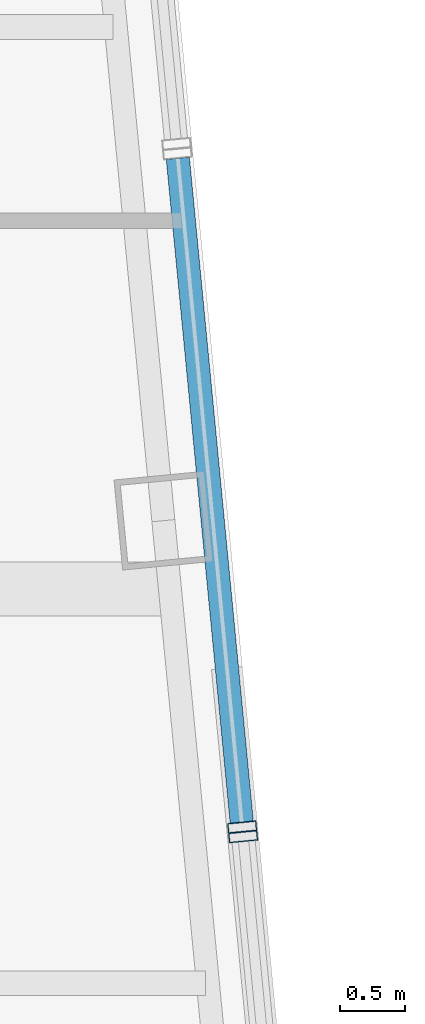
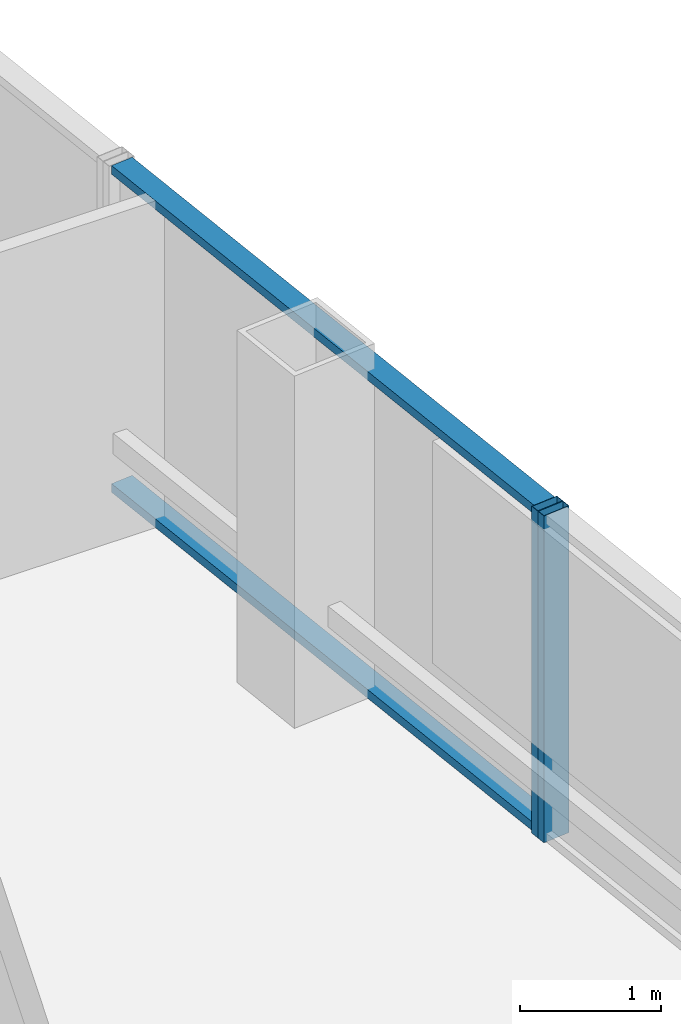
# One storey, part 16 of 29: 4 members, 2 elements without a shape of their own.
"""IFC4 building model written with IfcOpenShell, lengths in metres."""

from ifc_helpers import new_model, si_unit, direction, frame, origin, origin_2d, place, context, subcontext, project, spatial, hollow_rectangle, extrude, material, layer, layer_set, material_profile, profile_set, type_object, element, aggregate, save


model = new_model("IFC4")

# Units and contexts
model_context = context("Model", 3, precision=1e-05, world=origin(), true_north=direction((0.0, 1.0)))
body_context = subcontext(model_context, "Body", "Model", "MODEL_VIEW")
ifc_project = project(units=[si_unit("LENGTHUNIT", "METRE"), si_unit("AREAUNIT", "SQUARE_METRE"), si_unit("VOLUMEUNIT", "CUBIC_METRE"), si_unit("PLANEANGLEUNIT", "RADIAN"), si_unit("MASSUNIT", "GRAM", prefix="KILO")], contexts=[model_context])

# Site, building, storey
site_placement = place(None, origin())
site = spatial("IfcSite", under=ifc_project, at=site_placement, CompositionType="ELEMENT")
building_placement = place(site_placement, origin())
building = spatial("IfcBuilding", under=site, at=building_placement, Name="Qhalaya Broadcast Tower", CompositionType="ELEMENT")
storey_placement = place(building_placement, frame((0.0, 0.0, 177.5)))
storey = spatial("IfcBuildingStorey", under=building, at=storey_placement, Name="L52", CompositionType="ELEMENT", Elevation=177.5)

# Curtain wall, member
ifc_material_1 = material(Name="Fired Architectural Terracotta", Category="masonry")
ifc_layer_1 = layer(ifc_material_1, 0.219970703125, Name="Fired Architectural Terracotta")
ifc_layer_set_1 = layer_set([ifc_layer_1], Name="Fired Architectural Terracotta")
curtain_wall_type_1 = type_object("IfcCurtainWallType", Name="Block-Cap Unitised Terracotta Spandrel Wall CW-07", PredefinedType="NOTDEFINED", material=ifc_layer_set_1)
curtain_wall_1_placement = place(storey_placement, origin())
curtain_wall_1 = element("IfcCurtainWall", 1, at=curtain_wall_1_placement, inside=storey, type_object=curtain_wall_type_1, Name="L52 Unitised Curtain Wall L52-CW-E4", PredefinedType="NOTDEFINED")
ifc_material_2 = material(Name="Anodised Aluminium 6063-T6", Category="aluminium")
ifc_material_profile_1 = material_profile(ifc_material_2, hollow_rectangle(XDim=0.074951171875, YDim=0.219970703125, WallThickness=0.00390625, at=origin_2d()), Name="ALU-MUL 75x220x4")
ifc_profile_set_1 = profile_set([ifc_material_profile_1], Name="Anodised Aluminium 6063-T6")
member_type_1 = type_object("IfcMemberType", Name="Unitised Curtain-Wall Mullion M01", PredefinedType="MULLION", material=ifc_profile_set_1)
member_1_placement = place(storey_placement, frame((17.154541015625, 8.03466796875, 0.0), z_axis=(0.0, 0.0, 1.0), x_axis=(-0.095846949325, 0.995396083127, 0.0)))
member_1 = element("IfcMember", 2, at=member_1_placement, type_object=member_type_1, Name="CW-07 mullion 2", PredefinedType="MULLION", context=body_context, shape_type="SweptSolid", body=[
    extrude(hollow_rectangle(XDim=0.074951171875, YDim=0.219970703125, WallThickness=0.00390625, at=origin_2d()), origin(), (0.0, 0.0, 1.0), 2.830078125),
])
aggregate(curtain_wall_1, [member_1])

# Curtain wall, members
ifc_material_3 = material(Name="Solar-Control Low-E Triple Glazing", Category="glass")
ifc_layer_2 = layer(ifc_material_3, 0.219970703125, Name="Solar-Control Low-E Triple Glazing")
ifc_layer_set_2 = layer_set([ifc_layer_2], Name="Solar-Control Low-E Triple Glazing")
curtain_wall_type_2 = type_object("IfcCurtainWallType", Name="Even-Block 4-Storey Double-Module Curtain Wall CW-03", PredefinedType="NOTDEFINED", material=ifc_layer_set_2)
curtain_wall_2_placement = place(storey_placement, origin())
curtain_wall_2 = element("IfcCurtainWall", 3, at=curtain_wall_2_placement, inside=storey, type_object=curtain_wall_type_2, Name="L52 Unitised Curtain Wall L52-CW-E5", PredefinedType="NOTDEFINED")
member_2_placement = place(storey_placement, frame((17.147216796875, 8.109375, 0.0), z_axis=(0.0, 0.0, 1.0), x_axis=(-0.095837976406, 0.995396947091, 0.0)))
member_2 = element("IfcMember", 4, at=member_2_placement, type_object=member_type_1, Name="CW-03 mullion 1", PredefinedType="MULLION", context=body_context, shape_type="SweptSolid", body=[
    extrude(hollow_rectangle(XDim=0.074951171875, YDim=0.219970703125, WallThickness=0.00390625, at=origin_2d()), origin(), (0.0, 0.0, 1.0), 2.830078125),
])
ifc_material_profile_2 = material_profile(ifc_material_2, hollow_rectangle(XDim=0.074951171875, YDim=0.179931640625, WallThickness=0.00390625, at=origin_2d()), Name="ALU-TRN 75x180x4")
ifc_profile_set_2 = profile_set([ifc_material_profile_2], Name="Anodised Aluminium 6063-T6")
member_type_2 = type_object("IfcMemberType", Name="Unitised Curtain-Wall Transom T01", PredefinedType="USERDEFINED", material=ifc_profile_set_2)
member_3_placement = place(storey_placement, frame((17.143798828125, 8.146728515625, 0.03759765625), z_axis=(-0.09584040213, 0.995396713537, 0.0), x_axis=(0.0, 0.0, 1.0)))
member_3 = element("IfcMember", 5, at=member_3_placement, type_object=member_type_2, Name="CW-03 transom 1.1", ObjectType="TRANSOM", PredefinedType="USERDEFINED", context=body_context, shape_type="SweptSolid", body=[
    extrude(hollow_rectangle(XDim=0.074951171875, YDim=0.179931640625, WallThickness=0.00390625, at=origin_2d()), origin(), (0.0, 0.0, 1.0), 5.160888671875),
])
member_4_placement = place(storey_placement, frame((17.143798828125, 8.146728515625, 2.79248046875), z_axis=(-0.09584040213, 0.995396713537, 0.0), x_axis=(0.0, 0.0, 1.0)))
member_4 = element("IfcMember", 6, at=member_4_placement, type_object=member_type_2, Name="CW-03 transom 1.2", ObjectType="TRANSOM", PredefinedType="USERDEFINED", context=body_context, shape_type="SweptSolid", body=[
    extrude(hollow_rectangle(XDim=0.074951171875, YDim=0.179931640625, WallThickness=0.00390625, at=origin_2d()), origin(), (0.0, 0.0, 1.0), 5.160888671875),
])
aggregate(curtain_wall_2, [member_2, member_3, member_4])

save(model, "model.ifc")
